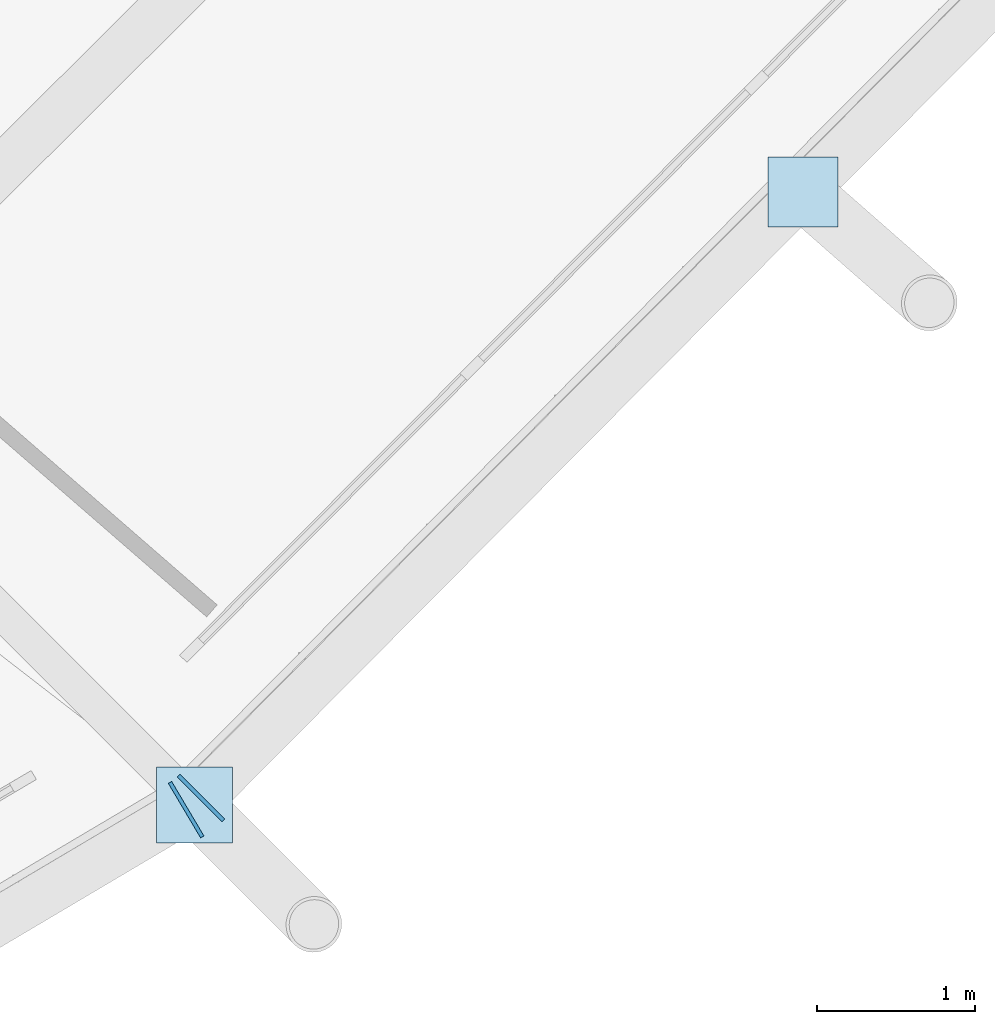
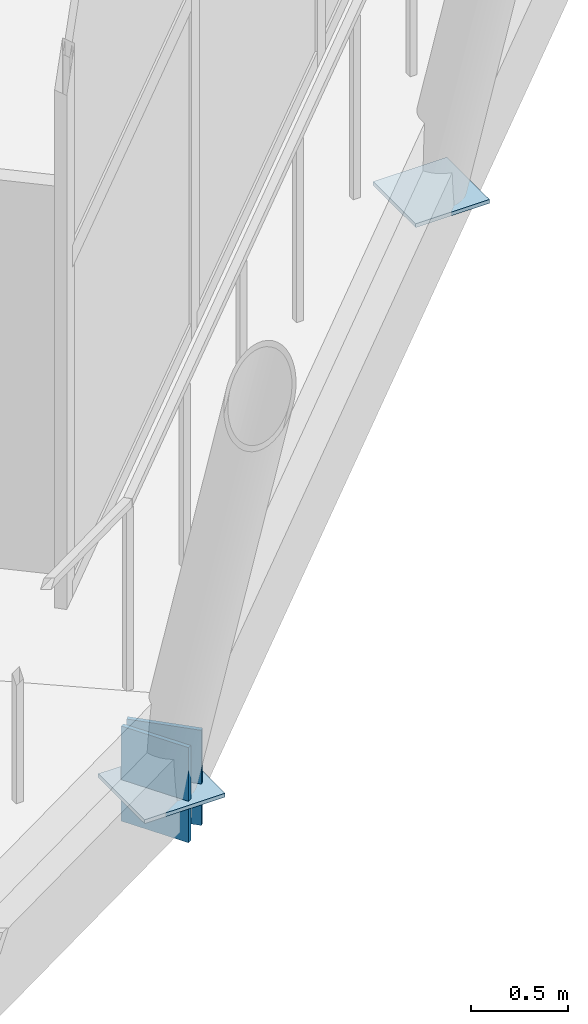
# One storey, part 104 of 168: 4 plates.
"""IFC4 building model written with IfcOpenShell, lengths in metres."""

from ifc_helpers import new_model, si_unit, direction, frame, origin, origin_2d, place, context, subcontext, project, spatial, rectangle, extrude, material, layer, layer_set, type_object, element, save


model = new_model("IFC4")

# Units and contexts
model_context = context("Model", 3, precision=1e-05, world=origin(), true_north=direction((0.0, 1.0)))
body_context = subcontext(model_context, "Body", "Model", "MODEL_VIEW")
ifc_project = project(units=[si_unit("LENGTHUNIT", "METRE"), si_unit("AREAUNIT", "SQUARE_METRE"), si_unit("VOLUMEUNIT", "CUBIC_METRE"), si_unit("PLANEANGLEUNIT", "RADIAN"), si_unit("MASSUNIT", "GRAM", prefix="KILO")], contexts=[model_context])

# Site, building, storey
site_placement = place(None, origin())
site = spatial("IfcSite", under=ifc_project, at=site_placement, CompositionType="ELEMENT")
building_placement = place(site_placement, origin())
building = spatial("IfcBuilding", under=site, at=building_placement, Name="Zlatoyarsky Gate Stadium", CompositionType="ELEMENT")
storey_placement = place(building_placement, frame((0.0, 0.0, 15.60009765625)))
storey = spatial("IfcBuildingStorey", under=building, at=storey_placement, Name="L03", CompositionType="ELEMENT", Elevation=15.60009765625)

# Plates
ifc_material = material(Name="Steel S355", Category="steel")
ifc_layer = layer(ifc_material, 0.02392578125)
ifc_layer_set = layer_set([ifc_layer], Name="Steel S355")
plate_type = type_object("IfcPlateType", Name="STEEL HOLLOW CHORD SPLICE SHEET 24", PredefinedType="SHEET", material=ifc_layer_set)
for number, where, z_axis, x_axis, name in (
    (1, (179.3271484375, 27.14697265625, -0.830078125), (0.0, 0.0, 1.0), (0.860228734412, 0.50990834911, 0.0), "Hollow end cap ND-SP1 CAP-L03-SPD-20 B"),
    (2, (179.421142578125, 27.22021484375, -0.830078125), (0.0, 0.0, 1.0), (0.70472967068, 0.709475927191, 0.0), "Hollow end cap ND-SP1 CAP-L03-SPD-21 A"),
):
    element("IfcPlate", number, at=place(storey_placement, frame(where, z_axis=z_axis, x_axis=x_axis)), inside=storey, type_object=plate_type, Name=name, PredefinedType="SHEET", context=body_context, shape_type="SweptSolid", body=[
        extrude(rectangle(XDim=0.02392578125, YDim=0.39990234375, at=origin_2d()), origin(), (0.0, 0.0, 1.0), 0.60009765625),
    ])
plate_1_placement = place(storey_placement, frame((179.37890625, 27.177490234375, -0.592041015625), z_axis=(0.0, 0.0, 1.0), x_axis=(1.0, 0.0, 0.0)))
element("IfcPlate", 3, at=plate_1_placement, inside=storey, type_object=plate_type, Name="Node closure plate ND-SP1 NCAP-L03-RSTR-21", PredefinedType="SHEET", context=body_context, shape_type="SweptSolid", body=[
    extrude(rectangle(XDim=0.47998046875, YDim=0.47998046875, at=origin_2d()), origin(), (0.0, 0.0, 1.0), 0.02392578125),
])
plate_2_placement = place(storey_placement, frame((183.220703125, 31.04541015625, -0.5419921875), z_axis=(0.0, 0.0, 1.0), x_axis=(1.0, 0.0, 0.0)))
element("IfcPlate", 4, at=plate_2_placement, inside=storey, type_object=plate_type, Name="Node closure plate ND-SP1 NCAP-RIB-21-1-1T", PredefinedType="SHEET", context=body_context, shape_type="SweptSolid", body=[
    extrude(rectangle(XDim=0.43994140625, YDim=0.43994140625, at=origin_2d()), origin(), (0.0, 0.0, 1.0), 0.02392578125),
])

save(model, "model.ifc")
